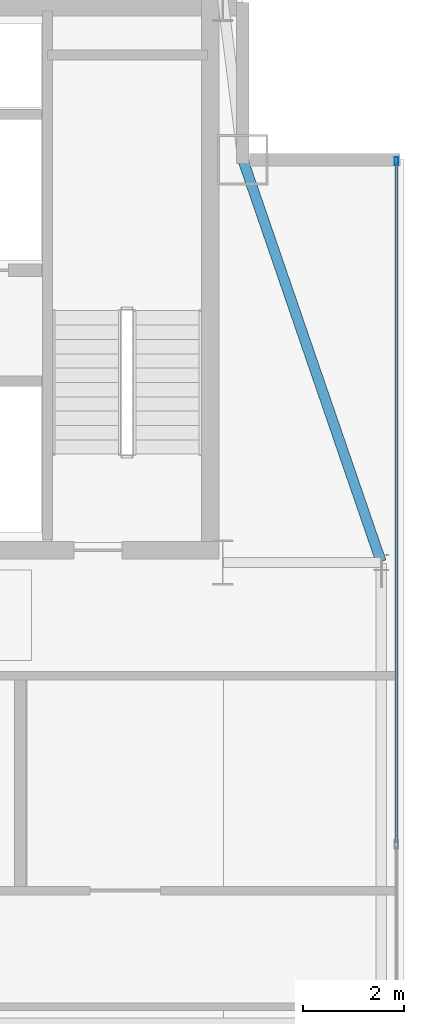
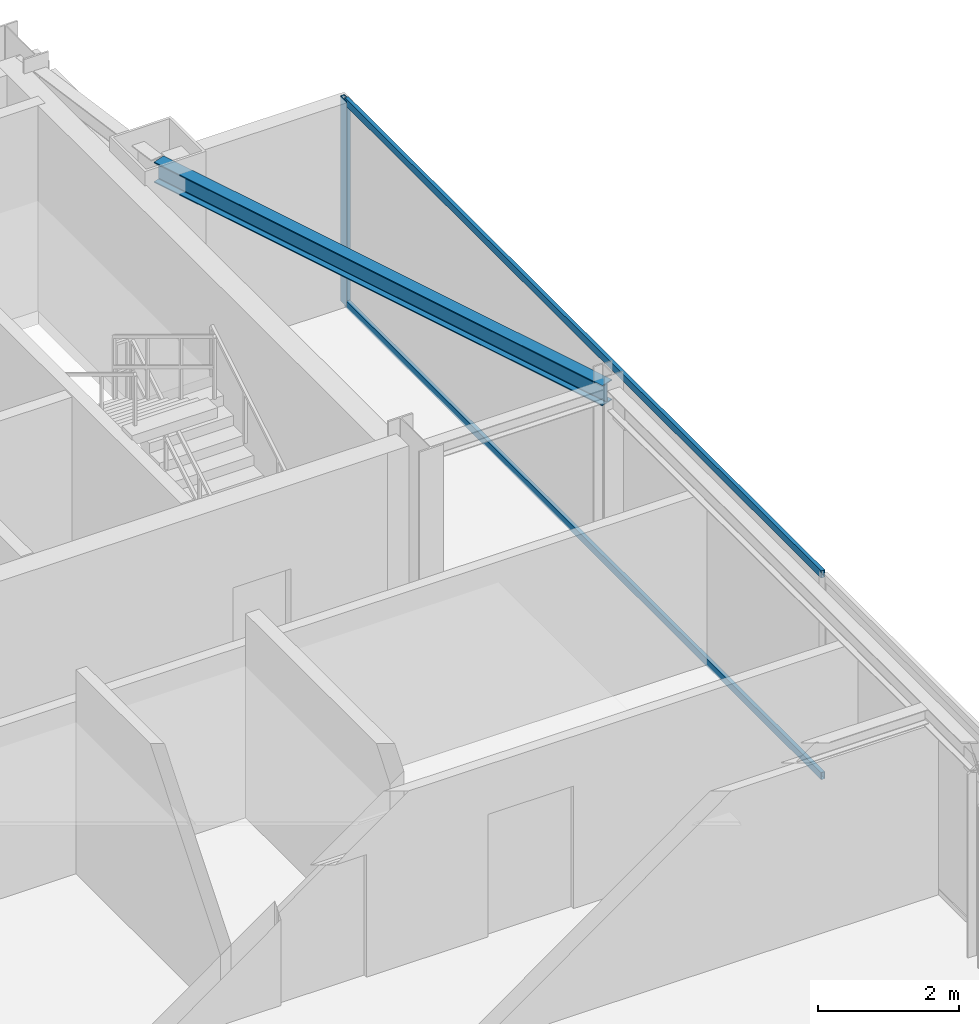
# One storey, part 17 of 24: 3 members, 1 beam, 1 element without a shape of its own.
"""IFC4 building model written with IfcOpenShell, lengths in metres."""

import ifcopenshell
import ifcopenshell.guid

model = None  # the IFC model being written
_history = None  # IfcOwnerHistory: only IFC2X3 demands one
_inside = {}  # id of a spatial element -> (the spatial element, [elements in it])
_under = {}  # id of a project, library or spatial element -> (it, [spatial elements below it])
_declared = {}  # id of a project -> (the project, [libraries it declares])
_typed = {}  # id of a type object -> (the type object, [elements of that type])
_made_of = {}  # id of a material, layer set ... -> (it, [elements and type objects made of it])


def new_model(schema):
    """Start an empty IFC model of exactly this schema.

    Asked for "IFC4X3", IfcOpenShell would pick the latest addendum, in which some entities
    have other attributes; the version numbers below select the first issue.
    IFC2X3 requires an IfcOwnerHistory on every rooted entity: one is made here for all.
    """
    global model, _history
    if schema == "IFC4X3":
        model = ifcopenshell.file(schema_version=(4, 3, 0, 0))
    else:
        model = ifcopenshell.file(schema=schema)
    _inside.clear()
    _under.clear()
    _declared.clear()
    _typed.clear()
    _made_of.clear()
    _history = None
    if model.schema == "IFC2X3":
        org = make("IfcOrganization", Name="unknown")
        user = make(
            "IfcPersonAndOrganization",
            ThePerson=make("IfcPerson", FamilyName="unknown"),
            TheOrganization=org,
        )
        app = make(
            "IfcApplication",
            ApplicationDeveloper=org,
            Version="unknown",
            ApplicationFullName="unknown",
            ApplicationIdentifier="unknown",
        )
        _history = make(
            "IfcOwnerHistory",
            OwningUser=user,
            OwningApplication=app,
            ChangeAction="ADDED",
            CreationDate=0,
        )
    return model


def make(cls, **values):
    """One entity of the class cls with the attributes given. An attribute that is None is left unset."""
    return model.create_entity(
        cls, **{name: value for name, value in values.items() if value is not None}
    )


def rooted(cls, **values):
    """An entity with a GlobalId (a new one), such as an element, a storey or a relation."""
    return make(cls, GlobalId=ifcopenshell.guid.new(), OwnerHistory=_history, **values)


def si_unit(unit_type, name, prefix=None):
    """IfcSIUnit, for example si_unit("LENGTHUNIT", "METRE", prefix="MILLI")."""
    return make("IfcSIUnit", UnitType=unit_type, Prefix=prefix, Name=name)


def assignment(units):
    """IfcUnitAssignment: the units of a project."""
    return None if units is None else make("IfcUnitAssignment", Units=units)


def point(xyz):
    """IfcCartesianPoint."""
    return None if xyz is None else make("IfcCartesianPoint", Coordinates=xyz)


def direction(xyz):
    """IfcDirection."""
    return None if xyz is None else make("IfcDirection", DirectionRatios=xyz)


def frame(location, z_axis=None, x_axis=None):
    """IfcAxis2Placement3D, a coordinate frame: its origin and axes. An axis left out is left unset."""
    return make(
        "IfcAxis2Placement3D",
        Location=point(location),
        Axis=direction(z_axis),
        RefDirection=direction(x_axis),
    )


def frame_2d(location, x_axis=None):
    """IfcAxis2Placement2D, a coordinate frame in the plane: its origin and x axis."""
    return make(
        "IfcAxis2Placement2D", Location=point(location), RefDirection=direction(x_axis)
    )


def origin():
    """The frame at (0, 0, 0) with its axes left unset."""
    return frame((0.0, 0.0, 0.0))


def origin_2d():
    """The frame at (0, 0) in the plane with its x axis left unset."""
    return frame_2d((0.0, 0.0))


def place(relative_to, where):
    """IfcLocalPlacement: puts the frame where relative to a parent placement (None: the world)."""
    return make(
        "IfcLocalPlacement", PlacementRelTo=relative_to, RelativePlacement=where
    )


def context(
    kind, dimensions, precision=None, world=None, true_north=None, identifier=None
):
    """IfcGeometricRepresentationContext, for example the 3D "Model" context."""
    return make(
        "IfcGeometricRepresentationContext",
        ContextIdentifier=identifier,
        ContextType=kind,
        CoordinateSpaceDimension=dimensions,
        Precision=precision,
        WorldCoordinateSystem=world,
        TrueNorth=true_north,
    )


def subcontext(parent, identifier, kind, view, scale=None):
    """IfcGeometricRepresentationSubContext, for example "Body" below "Model"."""
    return make(
        "IfcGeometricRepresentationSubContext",
        ContextIdentifier=identifier,
        ContextType=kind,
        ParentContext=parent,
        TargetScale=scale,
        TargetView=view,
    )


def project(units=None, contexts=None):
    """IfcProject with its units and contexts."""
    return rooted(
        "IfcProject",
        Name="project",
        RepresentationContexts=contexts,
        UnitsInContext=assignment(units),
    )


def spatial(cls, under=None, at=None, **own):
    """A site, building, storey or space (cls), placed at a placement, below another one or the project."""
    s = rooted(cls, ObjectPlacement=at, **own)
    if under is not None:
        _under.setdefault(under.id(), (under, []))[1].append(s)
    return s


def profile(cls, at=None, kind="AREA", **sizes):
    """A parametric profile (cls). Its sizes go by their IFC names, for example OverallWidth=200.0."""
    return make(cls, ProfileType=kind, Position=at, **sizes)


def hollow_rectangle(**sizes):
    """IfcRectangleHollowProfileDef."""
    return profile("IfcRectangleHollowProfileDef", **sizes)


def i_section(**sizes):
    """IfcIShapeProfileDef."""
    return profile("IfcIShapeProfileDef", **sizes)


def extrude(swept, where, along, depth):
    """IfcExtrudedAreaSolid: the profile swept, set in the frame where, extruded along a direction by depth."""
    return make(
        "IfcExtrudedAreaSolid",
        SweptArea=swept,
        Position=where,
        ExtrudedDirection=direction(along),
        Depth=depth,
    )


def shape(context_of_items, identifier, shape_type, items):
    """IfcShapeRepresentation: the items that make up one representation, for example the "Body"."""
    return make(
        "IfcShapeRepresentation",
        ContextOfItems=context_of_items,
        RepresentationIdentifier=identifier,
        RepresentationType=shape_type,
        Items=items,
    )


def source(mapping_origin, context_of_items, identifier, shape_type, items):
    """IfcRepresentationMap: a shape defined once, which mapped items show again and again."""
    return make(
        "IfcRepresentationMap",
        MappingOrigin=mapping_origin,
        MappedRepresentation=shape(context_of_items, identifier, shape_type, items),
    )


def transform(
    local_origin,
    x_axis=None,
    y_axis=None,
    z_axis=None,
    scale=None,
    scale2=None,
    scale3=None,
    uniform=True,
):
    """IfcCartesianTransformationOperator3D, or its non-uniform kind. x_axis, y_axis, z_axis: its Axis1, 2, 3."""
    if uniform:
        return make(
            "IfcCartesianTransformationOperator3D",
            Axis1=direction(x_axis),
            Axis2=direction(y_axis),
            LocalOrigin=point(local_origin),
            Scale=scale,
            Axis3=direction(z_axis),
        )
    return make(
        "IfcCartesianTransformationOperator3DnonUniform",
        Axis1=direction(x_axis),
        Axis2=direction(y_axis),
        LocalOrigin=point(local_origin),
        Scale=scale,
        Axis3=direction(z_axis),
        Scale2=scale2,
        Scale3=scale3,
    )


def mapped(mapping_source, mapping_target):
    """IfcMappedItem: shows the shape of a source again, moved by a transform."""
    return make(
        "IfcMappedItem", MappingSource=mapping_source, MappingTarget=mapping_target
    )


def material(Name=None, Category=None):
    """IfcMaterial."""
    return make("IfcMaterial", Name=Name, Category=Category)


def layer(
    of_material, thickness, ventilated=None, Name=None, Category=None, Priority=None
):
    """IfcMaterialLayer: one layer of a wall or slab, of a material (None: an air gap)."""
    return make(
        "IfcMaterialLayer",
        Material=of_material,
        LayerThickness=thickness,
        IsVentilated=ventilated,
        Name=Name,
        Category=Category,
        Priority=Priority,
    )


def layer_set(layers, Name=None):
    """IfcMaterialLayerSet."""
    return make("IfcMaterialLayerSet", MaterialLayers=layers, LayerSetName=Name)


def material_profile(
    of_material, cross_section, Name=None, Category=None, Priority=None
):
    """IfcMaterialProfile: a cross section and its material."""
    return make(
        "IfcMaterialProfile",
        Name=Name,
        Material=of_material,
        Profile=cross_section,
        Priority=Priority,
        Category=Category,
    )


def profile_set(profiles, Name=None, composite=None):
    """IfcMaterialProfileSet."""
    return make(
        "IfcMaterialProfileSet",
        Name=Name,
        MaterialProfiles=profiles,
        CompositeProfile=composite,
    )


def made_of(thing, what):
    """Note that an element or type object is made of a material, layer set ...; save() writes the relation."""
    if what is not None:
        _made_of.setdefault(what.id(), (what, []))[1].append(thing)
    return thing


def type_object(cls, material=None, **own):
    """A type object (cls), such as IfcWallType, which elements share."""
    return made_of(rooted(cls, **own), material)


def type_shapes(of_type, sources):
    """Give a type object the sources (RepresentationMaps) that its elements show as mapped items."""
    of_type.RepresentationMaps = sources


def element(
    cls,
    number,
    at=None,
    inside=None,
    cuts=None,
    type_object=None,
    material=None,
    context=None,
    identifier="Body",
    shape_type=None,
    held_by="IfcProductDefinitionShape",
    body=None,
    shapes=None,
    **own,
):
    """One element of the class cls, such as IfcWall. Its Tag is "e" and its number.

    at: its placement. inside: the storey or other place that contains it. cuts: it is an
    opening in that element (IfcRelVoidsElement). A single representation is given by context,
    identifier, shape_type and body (its items); several are given by shapes. held_by: the class
    of the entity that holds the representations. save() writes the other relations.
    """
    e = rooted(cls, Tag="e%d" % number, ObjectPlacement=at, **own)
    if body is not None:
        shapes = [shape(context, identifier, shape_type, body)]
    if shapes is not None:
        e.Representation = make(held_by, Representations=shapes)
    if inside is not None:
        _inside.setdefault(inside.id(), (inside, []))[1].append(e)
    if cuts is not None:
        rooted(
            "IfcRelVoidsElement", RelatingBuildingElement=cuts, RelatedOpeningElement=e
        )
    if type_object is not None:
        _typed.setdefault(type_object.id(), (type_object, []))[1].append(e)
    return made_of(e, material)


def aggregate(whole, parts):
    """IfcRelAggregates: a whole, such as a stair, and the parts it consists of."""
    return rooted("IfcRelAggregates", RelatingObject=whole, RelatedObjects=parts)


def save(model, path):
    """Write the relations noted so far, then the file.

    IfcRelAggregates (storeys below a building ...), IfcRelContainedInSpatialStructure (elements
    in a storey), IfcRelDefinesByType, IfcRelAssociatesMaterial and IfcRelDeclares: one each for
    every whole, place, type object, material and project.
    """
    for whole, parts in _under.values():
        aggregate(whole, parts)
    for where, things in _inside.values():
        rooted(
            "IfcRelContainedInSpatialStructure",
            RelatedElements=things,
            RelatingStructure=where,
        )
    for kind, things in _typed.values():
        rooted("IfcRelDefinesByType", RelatedObjects=things, RelatingType=kind)
    for what, things in _made_of.values():
        rooted("IfcRelAssociatesMaterial", RelatedObjects=things, RelatingMaterial=what)
    for by, libraries in _declared.values():
        rooted("IfcRelDeclares", RelatingContext=by, RelatedDefinitions=libraries)
    model.write(path)


model = new_model("IFC4")

# Units and contexts
model_context = context("Model", 3, precision=1e-05, world=origin(), true_north=direction((0.0, 1.0)))
body_context = subcontext(model_context, "Body", "Model", "MODEL_VIEW")
ifc_project = project(units=[si_unit("LENGTHUNIT", "METRE"), si_unit("AREAUNIT", "SQUARE_METRE"), si_unit("VOLUMEUNIT", "CUBIC_METRE"), si_unit("PLANEANGLEUNIT", "RADIAN"), si_unit("MASSUNIT", "GRAM", prefix="KILO")], contexts=[model_context])

# Site, building, storey
site_placement = place(None, origin())
site = spatial("IfcSite", under=ifc_project, at=site_placement, CompositionType="ELEMENT")
building_placement = place(site_placement, origin())
building = spatial("IfcBuilding", under=site, at=building_placement, Name="Varnel Quay Broadcast Tower", CompositionType="ELEMENT")
storey_placement = place(building_placement, frame((0.0, 0.0, 269.800048828125)))
storey = spatial("IfcBuildingStorey", under=building, at=storey_placement, Name="L67", CompositionType="ELEMENT", Elevation=269.800048828125)

# Beam
ifc_material_1 = material(Name="Structural Steel CSA G40.21 350W", Category="steel")
ifc_material_profile_1 = material_profile(ifc_material_1, i_section(OverallWidth=0.205078125, OverallDepth=0.35400390625, WebThickness=0.009521484375, FlangeThickness=0.016845703125, FilletRadius=0.012939453125, at=origin_2d()), Name="W360X79")
ifc_profile_set_1 = profile_set([ifc_material_profile_1], Name="Structural Steel CSA G40.21 350W")
beam_type = type_object("IfcBeamType", Name="Beam_W360X79", PredefinedType="SPANDREL", material=ifc_profile_set_1)
shared_shape_1 = source(origin(), body_context, "Body", "SweptSolid", [
    extrude(i_section(OverallWidth=0.205078125, OverallDepth=0.35400390625, WebThickness=0.009521484375, FlangeThickness=0.016845703125, FilletRadius=0.012939453125, at=origin_2d()), origin(), (0.0, 0.0, 1.0), 8.41943359375),
])
type_shapes(beam_type, [shared_shape_1])
beam_placement = place(storey_placement, frame((55.54345703125, 35.618896484375, 3.373046875), z_axis=(-0.325087062108, 0.945684092099, 0.0), x_axis=(-0.945684092099, -0.325087062108, 0.0)))
element("IfcBeam", 1, at=beam_placement, inside=storey, type_object=beam_type, Name="L67 East Spandrel TC-E2-MC-NE", PredefinedType="SPANDREL", context=body_context, shape_type="MappedRepresentation", body=[
    mapped(shared_shape_1, transform((0.0, 0.0, 0.0), x_axis=(1.0, 0.0, 0.0), y_axis=(0.0, 1.0, 0.0), z_axis=(0.0, 0.0, 1.0), scale=1.0)),
])

# Curtain wall, members
ifc_material_2 = material(Name="Anodised Bronze Aluminium 6063-T6", Category="aluminium")
ifc_layer = layer(ifc_material_2, 0.18994140625, Name="Anodised Bronze Aluminium 6063-T6")
ifc_layer_set = layer_set([ifc_layer], Name="Anodised Bronze Aluminium 6063-T6")
curtain_wall_type = type_object("IfcCurtainWallType", Name="CW_UpperTower", PredefinedType="NOTDEFINED", material=ifc_layer_set)
curtain_wall_placement = place(storey_placement, origin())
curtain_wall = element("IfcCurtainWall", 2, at=curtain_wall_placement, inside=storey, type_object=curtain_wall_type, Name="L67 East Unitised Curtain Wall", PredefinedType="NOTDEFINED")
ifc_material_profile_2 = material_profile(ifc_material_2, hollow_rectangle(XDim=0.06494140625, YDim=0.1650390625, WallThickness=0.00341796875, at=origin_2d()), Name="ALU65X165X3.5")
ifc_profile_set_2 = profile_set([ifc_material_profile_2], Name="Anodised Bronze Aluminium 6063-T6")
member_type_1 = type_object("IfcMemberType", Name="Mull_CWS-03", PredefinedType="MULLION", material=ifc_profile_set_2)
shared_shape_2 = source(origin(), body_context, "Body", "SweptSolid", [
    extrude(hollow_rectangle(XDim=0.06494140625, YDim=0.1650390625, WallThickness=0.00341796875, at=origin_2d()), origin(), (0.0, 0.0, 1.0), 3.550048828125),
])
type_shapes(member_type_1, [shared_shape_2])
member_1_placement = place(storey_placement, frame((55.85009765625, 43.5673828125, 0.0), z_axis=(0.0, 0.0, 1.0), x_axis=(-1.0, 0.0, 0.0)))
member_1 = element("IfcMember", 3, at=member_1_placement, type_object=member_type_1, Name="CWS-03 mullion 3", PredefinedType="MULLION", context=body_context, shape_type="MappedRepresentation", body=[
    mapped(shared_shape_2, transform((0.0, 0.0, 0.0), x_axis=(1.0, 0.0, 0.0), y_axis=(0.0, 1.0, 0.0), z_axis=(0.0, 0.0, 1.0), scale=1.0)),
])
ifc_material_profile_3 = material_profile(ifc_material_2, hollow_rectangle(XDim=0.06005859375, YDim=0.125, WallThickness=0.0029296875, at=origin_2d()), Name="ALU60X125X3")
ifc_profile_set_3 = profile_set([ifc_material_profile_3], Name="Anodised Bronze Aluminium 6063-T6")
member_type_2 = type_object("IfcMemberType", Name="Tran_CWS-03", PredefinedType="USERDEFINED", material=ifc_profile_set_3)
shared_shape_3 = source(origin(), body_context, "Body", "SweptSolid", [
    extrude(hollow_rectangle(XDim=0.06005859375, YDim=0.125, WallThickness=0.0029296875, at=origin_2d()), origin(), (0.0, 0.0, 1.0), 13.50244140625),
])
type_shapes(member_type_2, [shared_shape_3])
member_2_placement = place(storey_placement, frame((55.85009765625, 30.032470703125, 0.030029296875), z_axis=(0.0, 1.0, 0.0), x_axis=(-1.0, 0.0, 0.0)))
member_2 = element("IfcMember", 4, at=member_2_placement, type_object=member_type_2, Name="CWS-03 transom 2.1", ObjectType="TRANSOM", PredefinedType="USERDEFINED", context=body_context, shape_type="MappedRepresentation", body=[
    mapped(shared_shape_3, transform((0.0, 0.0, 0.0), x_axis=(1.0, 0.0, 0.0), y_axis=(0.0, 1.0, 0.0), z_axis=(0.0, 0.0, 1.0), scale=1.0)),
])
member_3_placement = place(storey_placement, frame((55.85009765625, 30.032470703125, 3.52001953125), z_axis=(0.0, 1.0, 0.0), x_axis=(-1.0, 0.0, 0.0)))
member_3 = element("IfcMember", 5, at=member_3_placement, type_object=member_type_2, Name="CWS-03 transom 2.2", ObjectType="TRANSOM", PredefinedType="USERDEFINED", context=body_context, shape_type="MappedRepresentation", body=[
    mapped(shared_shape_3, transform((0.0, 0.0, 0.0), x_axis=(1.0, 0.0, 0.0), y_axis=(0.0, 1.0, 0.0), z_axis=(0.0, 0.0, 1.0), scale=1.0)),
])
aggregate(curtain_wall, [member_1, member_2, member_3])

save(model, "model.ifc")
